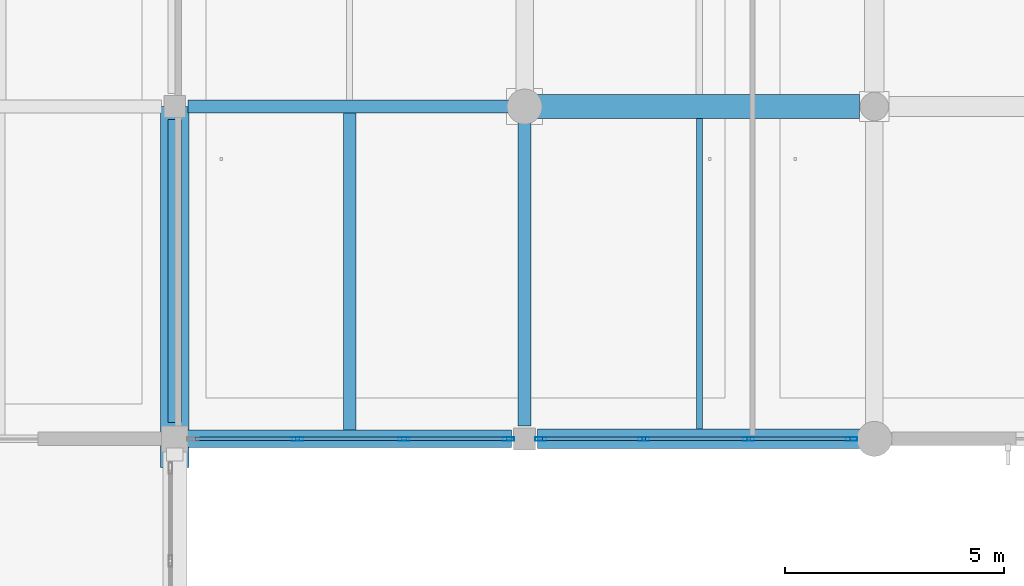
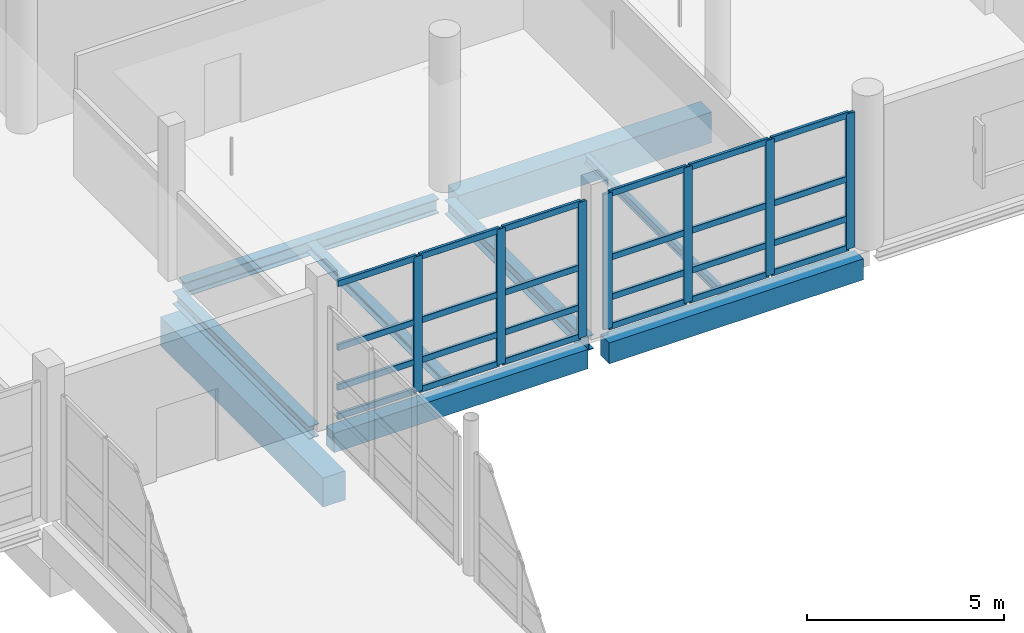
# One storey, part 34 of 147: 31 members, 9 beams, 2 elements without a shape of their own.
"""IFC4 building model written with IfcOpenShell, lengths in metres."""

from ifc_helpers import new_model, si_unit, direction, frame, origin, origin_2d, place, context, subcontext, project, spatial, rectangle, hollow_rectangle, i_section, extrude, material, material_profile, profile_set, type_object, element, aggregate, save


model = new_model("IFC4")

# Units and contexts
model_context = context("Model", 3, precision=1e-05, world=origin(), true_north=direction((0.0, 1.0)))
body_context = subcontext(model_context, "Body", "Model", "MODEL_VIEW")
ifc_project = project(units=[si_unit("LENGTHUNIT", "METRE"), si_unit("AREAUNIT", "SQUARE_METRE"), si_unit("VOLUMEUNIT", "CUBIC_METRE"), si_unit("PLANEANGLEUNIT", "RADIAN"), si_unit("MASSUNIT", "GRAM", prefix="KILO")], contexts=[model_context])

# Site, building, storey
site_placement = place(None, origin())
site = spatial("IfcSite", under=ifc_project, at=site_placement, CompositionType="ELEMENT")
building_placement = place(site_placement, origin())
building = spatial("IfcBuilding", under=site, at=building_placement, Name="Khelvaren Railside Concert Hall", CompositionType="ELEMENT")
storey_placement = place(building_placement, frame((0.0, 0.0, 5.39990234375)))
storey = spatial("IfcBuildingStorey", under=building, at=storey_placement, Name="L01", CompositionType="ELEMENT", Elevation=5.39990234375)

# Beams
ifc_material_1 = material(Name="Concrete C40/50", Category="concrete")
ifc_material_profile_1 = material_profile(ifc_material_1, rectangle(XDim=0.64990234375, YDim=0.89990234375, at=origin_2d()), Name="RCB 650x900")
ifc_profile_set_1 = profile_set([ifc_material_profile_1], Name="Concrete C40/50")
beam_type_1 = type_object("IfcBeamType", Name="BM18", PredefinedType="BEAM", material=ifc_profile_set_1)
beam_1_placement = place(storey_placement, frame((16.0, 67.75, -1.659912109375), z_axis=(0.0, 1.0, 0.0), x_axis=(-1.0, 0.0, 0.0)))
element("IfcBeam", 1, at=beam_1_placement, inside=storey, type_object=beam_type_1, Name="West Court Chamber Link Bridge L01 Seismic Corbel Seat 2", PredefinedType="BEAM", context=body_context, shape_type="SweptSolid", body=[
    extrude(rectangle(XDim=0.64990234375, YDim=0.89990234375, at=origin_2d()), origin(), (0.0, 0.0, 1.0), 8.25),
])
ifc_material_2 = material(Name="Steel S355", Category="steel")
ifc_material_profile_2 = material_profile(ifc_material_2, i_section(OverallWidth=0.300048828125, OverallDepth=0.389892578125, WebThickness=0.010986328125, FlangeThickness=0.01904296875, FilletRadius=0.027099609375, at=origin_2d()), Name="HEA 400")
ifc_profile_set_2 = profile_set([ifc_material_profile_2], Name="Steel S355")
beam_type_2 = type_object("IfcBeamType", Name="BM23", PredefinedType="BEAM", material=ifc_profile_set_2)
beam_2_placement = place(storey_placement, frame((16.0, 68.77490234375, -0.494873046875), z_axis=(0.0, 1.0, 0.0), x_axis=(-1.0, 0.0, 0.0)))
element("IfcBeam", 2, at=beam_2_placement, inside=storey, type_object=beam_type_2, Name="V4 L01 Beam Y3.1", PredefinedType="BEAM", context=body_context, shape_type="SweptSolid", body=[
    extrude(i_section(OverallWidth=0.300048828125, OverallDepth=0.389892578125, WebThickness=0.010986328125, FlangeThickness=0.01904296875, FilletRadius=0.027099609375, at=origin_2d()), origin(), (0.0, 0.0, 1.0), 6.925048828125),
])
ifc_material_profile_3 = material_profile(ifc_material_2, i_section(OverallWidth=0.300048828125, OverallDepth=0.43994140625, WebThickness=0.011474609375, FlangeThickness=0.02099609375, FilletRadius=0.027099609375, at=origin_2d()), Name="HEA 450")
ifc_profile_set_3 = profile_set([ifc_material_profile_3], Name="Steel S355")
beam_type_3 = type_object("IfcBeamType", Name="BM89", PredefinedType="BEAM", material=ifc_profile_set_3)
beam_3_placement = place(storey_placement, frame((16.300048828125, 76.0, -0.52001953125), z_axis=(1.0, 0.0, 0.0), x_axis=(0.0, 1.0, 0.0)))
element("IfcBeam", 3, at=beam_3_placement, inside=storey, type_object=beam_type_3, Name="V4 L01 Beam X2.3", PredefinedType="BEAM", context=body_context, shape_type="SweptSolid", body=[
    extrude(i_section(OverallWidth=0.300048828125, OverallDepth=0.43994140625, WebThickness=0.011474609375, FlangeThickness=0.02099609375, FilletRadius=0.027099609375, at=origin_2d()), origin(), (0.0, 0.0, 1.0), 7.449951171875),
])
beam_4_placement = place(storey_placement, frame((24.0, 68.699951171875, -0.52001953125), z_axis=(0.0, 1.0, 0.0), x_axis=(-1.0, 0.0, 0.0)))
element("IfcBeam", 4, at=beam_4_placement, inside=storey, type_object=beam_type_3, Name="V4 L01 Beam Y4.1", PredefinedType="BEAM", context=body_context, shape_type="SweptSolid", body=[
    extrude(i_section(OverallWidth=0.300048828125, OverallDepth=0.43994140625, WebThickness=0.011474609375, FlangeThickness=0.02099609375, FilletRadius=0.027099609375, at=origin_2d()), origin(), (0.0, 0.0, 1.0), 7.050048828125),
])

# Curtain wall, members
ifc_material_3 = material(Name="Acoustic laminated crystal facade glass", Category="glass")
curtain_wall_type_1 = type_object("IfcCurtainWallType", Name="CW54", PredefinedType="USERDEFINED", material=ifc_material_3)
curtain_wall_1_placement = place(storey_placement, origin())
curtain_wall_1 = element("IfcCurtainWall", 5, at=curtain_wall_1_placement, inside=storey, type_object=curtain_wall_type_1, Name="Unitised Curtain Wall CW-V4-L01-S-16", ObjectType="UNITISED CURTAIN WALL", PredefinedType="USERDEFINED")
ifc_material_4 = material(Name="Anodised architectural aluminium 6063-T6", Category="aluminium")
ifc_material_profile_4 = material_profile(ifc_material_4, hollow_rectangle(XDim=0.0849609375, YDim=0.260009765625, WallThickness=0.0048828125, InnerFilletRadius=0.0029296875, OuterFilletRadius=0.0048828125, at=origin_2d()), Name="CWM 85x260x5")
ifc_profile_set_4 = profile_set([ifc_material_profile_4], Name="Anodised architectural aluminium 6063-T6")
member_type_1 = type_object("IfcMemberType", Name="CWM40", PredefinedType="MULLION", material=ifc_profile_set_4)
member_1_placement = place(storey_placement, frame((23.6298828125, 68.39990234375, 0.0), z_axis=(0.0, 0.0, 1.0), x_axis=(0.0, -1.0, 0.0)))
member_1 = element("IfcMember", 6, at=member_1_placement, type_object=member_type_1, Name="CW54 mullion 1", PredefinedType="MULLION", context=body_context, shape_type="SweptSolid", body=[
    extrude(hollow_rectangle(XDim=0.0849609375, YDim=0.260009765625, WallThickness=0.0048828125, InnerFilletRadius=0.0029296875, OuterFilletRadius=0.0048828125, at=origin_2d()), origin(), (0.0, 0.0, 1.0), 4.2001953125),
])
member_2_placement = place(storey_placement, frame((21.24072265625, 68.39990234375, 0.0), z_axis=(0.0, 0.0, 1.0), x_axis=(0.0, -1.0, 0.0)))
member_2 = element("IfcMember", 7, at=member_2_placement, type_object=member_type_1, Name="CW54 mullion 2", PredefinedType="MULLION", context=body_context, shape_type="SweptSolid", body=[
    extrude(hollow_rectangle(XDim=0.0849609375, YDim=0.260009765625, WallThickness=0.0048828125, InnerFilletRadius=0.0029296875, OuterFilletRadius=0.0048828125, at=origin_2d()), origin(), (0.0, 0.0, 1.0), 4.2001953125),
])
member_3_placement = place(storey_placement, frame((18.80908203125, 68.39990234375, 0.0), z_axis=(0.0, 0.0, 1.0), x_axis=(0.0, -1.0, 0.0)))
member_3 = element("IfcMember", 8, at=member_3_placement, type_object=member_type_1, Name="CW54 mullion 3", PredefinedType="MULLION", context=body_context, shape_type="SweptSolid", body=[
    extrude(hollow_rectangle(XDim=0.0849609375, YDim=0.260009765625, WallThickness=0.0048828125, InnerFilletRadius=0.0029296875, OuterFilletRadius=0.0048828125, at=origin_2d()), origin(), (0.0, 0.0, 1.0), 4.2001953125),
])

curtain_wall_type_2 = type_object("IfcCurtainWallType", Name="CW66", PredefinedType="USERDEFINED", material=ifc_material_3)
curtain_wall_2_placement = place(storey_placement, origin())
curtain_wall_2 = element("IfcCurtainWall", 9, at=curtain_wall_2_placement, inside=storey, type_object=curtain_wall_type_2, Name="Unitised Curtain Wall CW-V4-L01-S-24", ObjectType="UNITISED CURTAIN WALL", PredefinedType="USERDEFINED")
member_4_placement = place(storey_placement, frame((31.47998046875, 68.39990234375, 0.0), z_axis=(0.0, 0.0, 1.0), x_axis=(0.0, -1.0, 0.0)))
member_4 = element("IfcMember", 10, at=member_4_placement, type_object=member_type_1, Name="CW66 mullion 1", PredefinedType="MULLION", context=body_context, shape_type="SweptSolid", body=[
    extrude(hollow_rectangle(XDim=0.0849609375, YDim=0.260009765625, WallThickness=0.0048828125, InnerFilletRadius=0.0029296875, OuterFilletRadius=0.0048828125, at=origin_2d()), origin(), (0.0, 0.0, 1.0), 4.2001953125),
])
member_5_placement = place(storey_placement, frame((29.124267578125, 68.39990234375, 0.0), z_axis=(0.0, 0.0, 1.0), x_axis=(0.0, -1.0, 0.0)))
member_5 = element("IfcMember", 11, at=member_5_placement, type_object=member_type_1, Name="CW66 mullion 2", PredefinedType="MULLION", context=body_context, shape_type="SweptSolid", body=[
    extrude(hollow_rectangle(XDim=0.0849609375, YDim=0.260009765625, WallThickness=0.0048828125, InnerFilletRadius=0.0029296875, OuterFilletRadius=0.0048828125, at=origin_2d()), origin(), (0.0, 0.0, 1.0), 4.2001953125),
])
member_6_placement = place(storey_placement, frame((26.725830078125, 68.39990234375, 0.0), z_axis=(0.0, 0.0, 1.0), x_axis=(0.0, -1.0, 0.0)))
member_6 = element("IfcMember", 12, at=member_6_placement, type_object=member_type_1, Name="CW66 mullion 3", PredefinedType="MULLION", context=body_context, shape_type="SweptSolid", body=[
    extrude(hollow_rectangle(XDim=0.0849609375, YDim=0.260009765625, WallThickness=0.0048828125, InnerFilletRadius=0.0029296875, OuterFilletRadius=0.0048828125, at=origin_2d()), origin(), (0.0, 0.0, 1.0), 4.2001953125),
])
member_7_placement = place(storey_placement, frame((24.3701171875, 68.39990234375, 0.0), z_axis=(0.0, 0.0, 1.0), x_axis=(0.0, -1.0, 0.0)))
member_7 = element("IfcMember", 13, at=member_7_placement, type_object=member_type_1, Name="CW66 mullion 4", PredefinedType="MULLION", context=body_context, shape_type="SweptSolid", body=[
    extrude(hollow_rectangle(XDim=0.0849609375, YDim=0.260009765625, WallThickness=0.0048828125, InnerFilletRadius=0.0029296875, OuterFilletRadius=0.0048828125, at=origin_2d()), origin(), (0.0, 0.0, 1.0), 4.2001953125),
])

# Member
ifc_material_profile_5 = material_profile(ifc_material_4, hollow_rectangle(XDim=0.0849609375, YDim=0.18994140625, WallThickness=0.0048828125, InnerFilletRadius=0.0029296875, OuterFilletRadius=0.0048828125, at=origin_2d()), Name="CWT 85x190x5")
ifc_profile_set_5 = profile_set([ifc_material_profile_5], Name="Anodised architectural aluminium 6063-T6")
member_type_2 = type_object("IfcMemberType", Name="CWT31", PredefinedType="USERDEFINED", material=ifc_profile_set_5)
member_8_placement = place(storey_placement, frame((23.58740234375, 68.39990234375, 0.04248046875), z_axis=(-1.0, 0.0, 0.0), x_axis=(0.0, -1.0, 0.0)))
member_8 = element("IfcMember", 14, at=member_8_placement, type_object=member_type_2, Name="CW54 transom 1.1", ObjectType="TRANSOM", PredefinedType="USERDEFINED", context=body_context, shape_type="SweptSolid", body=[
    extrude(hollow_rectangle(XDim=0.0849609375, YDim=0.18994140625, WallThickness=0.0048828125, InnerFilletRadius=0.0029296875, OuterFilletRadius=0.0048828125, at=origin_2d()), origin(), (0.0, 0.0, 1.0), 2.303955078125),
])

member_9_placement = place(storey_placement, frame((23.58740234375, 68.39990234375, 0.9501953125), z_axis=(-1.0, 0.0, 0.0), x_axis=(0.0, -1.0, 0.0)))
member_9 = element("IfcMember", 15, at=member_9_placement, type_object=member_type_2, Name="CW54 transom 1.2", ObjectType="TRANSOM", PredefinedType="USERDEFINED", context=body_context, shape_type="SweptSolid", body=[
    extrude(hollow_rectangle(XDim=0.0849609375, YDim=0.18994140625, WallThickness=0.0048828125, InnerFilletRadius=0.0029296875, OuterFilletRadius=0.0048828125, at=origin_2d()), origin(), (0.0, 0.0, 1.0), 2.303955078125),
])

member_10_placement = place(storey_placement, frame((23.58740234375, 68.39990234375, 2.18408203125), z_axis=(-1.0, 0.0, 0.0), x_axis=(0.0, -1.0, 0.0)))
member_10 = element("IfcMember", 16, at=member_10_placement, type_object=member_type_2, Name="CW54 transom 1.3", ObjectType="TRANSOM", PredefinedType="USERDEFINED", context=body_context, shape_type="SweptSolid", body=[
    extrude(hollow_rectangle(XDim=0.0849609375, YDim=0.18994140625, WallThickness=0.0048828125, InnerFilletRadius=0.0029296875, OuterFilletRadius=0.0048828125, at=origin_2d()), origin(), (0.0, 0.0, 1.0), 2.303955078125),
])

member_11_placement = place(storey_placement, frame((23.58740234375, 68.39990234375, 4.15771484375), z_axis=(-1.0, 0.0, 0.0), x_axis=(0.0, -1.0, 0.0)))
member_11 = element("IfcMember", 17, at=member_11_placement, type_object=member_type_2, Name="CW54 transom 1.4", ObjectType="TRANSOM", PredefinedType="USERDEFINED", context=body_context, shape_type="SweptSolid", body=[
    extrude(hollow_rectangle(XDim=0.0849609375, YDim=0.18994140625, WallThickness=0.0048828125, InnerFilletRadius=0.0029296875, OuterFilletRadius=0.0048828125, at=origin_2d()), origin(), (0.0, 0.0, 1.0), 2.303955078125),
])

member_12_placement = place(storey_placement, frame((21.1982421875, 68.39990234375, 0.04248046875), z_axis=(-1.0, 0.0, 0.0), x_axis=(0.0, -1.0, 0.0)))
member_12 = element("IfcMember", 18, at=member_12_placement, type_object=member_type_2, Name="CW54 transom 2.1", ObjectType="TRANSOM", PredefinedType="USERDEFINED", context=body_context, shape_type="SweptSolid", body=[
    extrude(hollow_rectangle(XDim=0.0849609375, YDim=0.18994140625, WallThickness=0.0048828125, InnerFilletRadius=0.0029296875, OuterFilletRadius=0.0048828125, at=origin_2d()), origin(), (0.0, 0.0, 1.0), 2.3466796875),
])

member_13_placement = place(storey_placement, frame((21.1982421875, 68.39990234375, 0.9501953125), z_axis=(-1.0, 0.0, 0.0), x_axis=(0.0, -1.0, 0.0)))
member_13 = element("IfcMember", 19, at=member_13_placement, type_object=member_type_2, Name="CW54 transom 2.2", ObjectType="TRANSOM", PredefinedType="USERDEFINED", context=body_context, shape_type="SweptSolid", body=[
    extrude(hollow_rectangle(XDim=0.0849609375, YDim=0.18994140625, WallThickness=0.0048828125, InnerFilletRadius=0.0029296875, OuterFilletRadius=0.0048828125, at=origin_2d()), origin(), (0.0, 0.0, 1.0), 2.3466796875),
])

member_14_placement = place(storey_placement, frame((21.1982421875, 68.39990234375, 2.18408203125), z_axis=(-1.0, 0.0, 0.0), x_axis=(0.0, -1.0, 0.0)))
member_14 = element("IfcMember", 20, at=member_14_placement, type_object=member_type_2, Name="CW54 transom 2.3", ObjectType="TRANSOM", PredefinedType="USERDEFINED", context=body_context, shape_type="SweptSolid", body=[
    extrude(hollow_rectangle(XDim=0.0849609375, YDim=0.18994140625, WallThickness=0.0048828125, InnerFilletRadius=0.0029296875, OuterFilletRadius=0.0048828125, at=origin_2d()), origin(), (0.0, 0.0, 1.0), 2.3466796875),
])

member_15_placement = place(storey_placement, frame((21.1982421875, 68.39990234375, 4.15771484375), z_axis=(-1.0, 0.0, 0.0), x_axis=(0.0, -1.0, 0.0)))
member_15 = element("IfcMember", 21, at=member_15_placement, type_object=member_type_2, Name="CW54 transom 2.4", ObjectType="TRANSOM", PredefinedType="USERDEFINED", context=body_context, shape_type="SweptSolid", body=[
    extrude(hollow_rectangle(XDim=0.0849609375, YDim=0.18994140625, WallThickness=0.0048828125, InnerFilletRadius=0.0029296875, OuterFilletRadius=0.0048828125, at=origin_2d()), origin(), (0.0, 0.0, 1.0), 2.3466796875),
])

member_16_placement = place(storey_placement, frame((18.7666015625, 68.39990234375, 0.04248046875), z_axis=(-1.0, 0.0, 0.0), x_axis=(0.0, -1.0, 0.0)))
member_16 = element("IfcMember", 22, at=member_16_placement, type_object=member_type_2, Name="CW54 transom 3.1", ObjectType="TRANSOM", PredefinedType="USERDEFINED", context=body_context, shape_type="SweptSolid", body=[
    extrude(hollow_rectangle(XDim=0.0849609375, YDim=0.18994140625, WallThickness=0.0048828125, InnerFilletRadius=0.0029296875, OuterFilletRadius=0.0048828125, at=origin_2d()), origin(), (0.0, 0.0, 1.0), 2.30419921875),
])

member_17_placement = place(storey_placement, frame((18.7666015625, 68.39990234375, 0.9501953125), z_axis=(-1.0, 0.0, 0.0), x_axis=(0.0, -1.0, 0.0)))
member_17 = element("IfcMember", 23, at=member_17_placement, type_object=member_type_2, Name="CW54 transom 3.2", ObjectType="TRANSOM", PredefinedType="USERDEFINED", context=body_context, shape_type="SweptSolid", body=[
    extrude(hollow_rectangle(XDim=0.0849609375, YDim=0.18994140625, WallThickness=0.0048828125, InnerFilletRadius=0.0029296875, OuterFilletRadius=0.0048828125, at=origin_2d()), origin(), (0.0, 0.0, 1.0), 2.30419921875),
])

member_18_placement = place(storey_placement, frame((18.7666015625, 68.39990234375, 2.18408203125), z_axis=(-1.0, 0.0, 0.0), x_axis=(0.0, -1.0, 0.0)))
member_18 = element("IfcMember", 24, at=member_18_placement, type_object=member_type_2, Name="CW54 transom 3.3", ObjectType="TRANSOM", PredefinedType="USERDEFINED", context=body_context, shape_type="SweptSolid", body=[
    extrude(hollow_rectangle(XDim=0.0849609375, YDim=0.18994140625, WallThickness=0.0048828125, InnerFilletRadius=0.0029296875, OuterFilletRadius=0.0048828125, at=origin_2d()), origin(), (0.0, 0.0, 1.0), 2.30419921875),
])

member_19_placement = place(storey_placement, frame((18.7666015625, 68.39990234375, 4.15771484375), z_axis=(-1.0, 0.0, 0.0), x_axis=(0.0, -1.0, 0.0)))
member_19 = element("IfcMember", 25, at=member_19_placement, type_object=member_type_2, Name="CW54 transom 3.4", ObjectType="TRANSOM", PredefinedType="USERDEFINED", context=body_context, shape_type="SweptSolid", body=[
    extrude(hollow_rectangle(XDim=0.0849609375, YDim=0.18994140625, WallThickness=0.0048828125, InnerFilletRadius=0.0029296875, OuterFilletRadius=0.0048828125, at=origin_2d()), origin(), (0.0, 0.0, 1.0), 2.30419921875),
])

aggregate(curtain_wall_1, [member_1, member_2, member_3, member_8, member_9, member_10, member_11, member_12, member_13, member_14, member_15, member_16, member_17, member_18, member_19])

member_20_placement = place(storey_placement, frame((31.4375, 68.39990234375, 0.04248046875), z_axis=(-1.0, 0.0, 0.0), x_axis=(0.0, -1.0, 0.0)))
member_20 = element("IfcMember", 26, at=member_20_placement, type_object=member_type_2, Name="CW66 transom 1.1", ObjectType="TRANSOM", PredefinedType="USERDEFINED", context=body_context, shape_type="SweptSolid", body=[
    extrude(hollow_rectangle(XDim=0.0849609375, YDim=0.18994140625, WallThickness=0.0048828125, InnerFilletRadius=0.0029296875, OuterFilletRadius=0.0048828125, at=origin_2d()), origin(), (0.0, 0.0, 1.0), 2.270751953125),
])

member_21_placement = place(storey_placement, frame((31.4375, 68.39990234375, 0.9501953125), z_axis=(-1.0, 0.0, 0.0), x_axis=(0.0, -1.0, 0.0)))
member_21 = element("IfcMember", 27, at=member_21_placement, type_object=member_type_2, Name="CW66 transom 1.2", ObjectType="TRANSOM", PredefinedType="USERDEFINED", context=body_context, shape_type="SweptSolid", body=[
    extrude(hollow_rectangle(XDim=0.0849609375, YDim=0.18994140625, WallThickness=0.0048828125, InnerFilletRadius=0.0029296875, OuterFilletRadius=0.0048828125, at=origin_2d()), origin(), (0.0, 0.0, 1.0), 2.270751953125),
])

member_22_placement = place(storey_placement, frame((31.4375, 68.39990234375, 2.18408203125), z_axis=(-1.0, 0.0, 0.0), x_axis=(0.0, -1.0, 0.0)))
member_22 = element("IfcMember", 28, at=member_22_placement, type_object=member_type_2, Name="CW66 transom 1.3", ObjectType="TRANSOM", PredefinedType="USERDEFINED", context=body_context, shape_type="SweptSolid", body=[
    extrude(hollow_rectangle(XDim=0.0849609375, YDim=0.18994140625, WallThickness=0.0048828125, InnerFilletRadius=0.0029296875, OuterFilletRadius=0.0048828125, at=origin_2d()), origin(), (0.0, 0.0, 1.0), 2.270751953125),
])

member_23_placement = place(storey_placement, frame((31.4375, 68.39990234375, 4.15771484375), z_axis=(-1.0, 0.0, 0.0), x_axis=(0.0, -1.0, 0.0)))
member_23 = element("IfcMember", 29, at=member_23_placement, type_object=member_type_2, Name="CW66 transom 1.4", ObjectType="TRANSOM", PredefinedType="USERDEFINED", context=body_context, shape_type="SweptSolid", body=[
    extrude(hollow_rectangle(XDim=0.0849609375, YDim=0.18994140625, WallThickness=0.0048828125, InnerFilletRadius=0.0029296875, OuterFilletRadius=0.0048828125, at=origin_2d()), origin(), (0.0, 0.0, 1.0), 2.270751953125),
])

member_24_placement = place(storey_placement, frame((29.081787109375, 68.39990234375, 0.04248046875), z_axis=(-1.0, 0.0, 0.0), x_axis=(0.0, -1.0, 0.0)))
member_24 = element("IfcMember", 30, at=member_24_placement, type_object=member_type_2, Name="CW66 transom 2.1", ObjectType="TRANSOM", PredefinedType="USERDEFINED", context=body_context, shape_type="SweptSolid", body=[
    extrude(hollow_rectangle(XDim=0.0849609375, YDim=0.18994140625, WallThickness=0.0048828125, InnerFilletRadius=0.0029296875, OuterFilletRadius=0.0048828125, at=origin_2d()), origin(), (0.0, 0.0, 1.0), 2.3134765625),
])

member_25_placement = place(storey_placement, frame((29.081787109375, 68.39990234375, 0.9501953125), z_axis=(-1.0, 0.0, 0.0), x_axis=(0.0, -1.0, 0.0)))
member_25 = element("IfcMember", 31, at=member_25_placement, type_object=member_type_2, Name="CW66 transom 2.2", ObjectType="TRANSOM", PredefinedType="USERDEFINED", context=body_context, shape_type="SweptSolid", body=[
    extrude(hollow_rectangle(XDim=0.0849609375, YDim=0.18994140625, WallThickness=0.0048828125, InnerFilletRadius=0.0029296875, OuterFilletRadius=0.0048828125, at=origin_2d()), origin(), (0.0, 0.0, 1.0), 2.3134765625),
])

member_26_placement = place(storey_placement, frame((29.081787109375, 68.39990234375, 2.18408203125), z_axis=(-1.0, 0.0, 0.0), x_axis=(0.0, -1.0, 0.0)))
member_26 = element("IfcMember", 32, at=member_26_placement, type_object=member_type_2, Name="CW66 transom 2.3", ObjectType="TRANSOM", PredefinedType="USERDEFINED", context=body_context, shape_type="SweptSolid", body=[
    extrude(hollow_rectangle(XDim=0.0849609375, YDim=0.18994140625, WallThickness=0.0048828125, InnerFilletRadius=0.0029296875, OuterFilletRadius=0.0048828125, at=origin_2d()), origin(), (0.0, 0.0, 1.0), 2.3134765625),
])

member_27_placement = place(storey_placement, frame((29.081787109375, 68.39990234375, 4.15771484375), z_axis=(-1.0, 0.0, 0.0), x_axis=(0.0, -1.0, 0.0)))
member_27 = element("IfcMember", 33, at=member_27_placement, type_object=member_type_2, Name="CW66 transom 2.4", ObjectType="TRANSOM", PredefinedType="USERDEFINED", context=body_context, shape_type="SweptSolid", body=[
    extrude(hollow_rectangle(XDim=0.0849609375, YDim=0.18994140625, WallThickness=0.0048828125, InnerFilletRadius=0.0029296875, OuterFilletRadius=0.0048828125, at=origin_2d()), origin(), (0.0, 0.0, 1.0), 2.3134765625),
])

member_28_placement = place(storey_placement, frame((26.683349609375, 68.39990234375, 0.04248046875), z_axis=(-1.0, 0.0, 0.0), x_axis=(0.0, -1.0, 0.0)))
member_28 = element("IfcMember", 34, at=member_28_placement, type_object=member_type_2, Name="CW66 transom 3.1", ObjectType="TRANSOM", PredefinedType="USERDEFINED", context=body_context, shape_type="SweptSolid", body=[
    extrude(hollow_rectangle(XDim=0.0849609375, YDim=0.18994140625, WallThickness=0.0048828125, InnerFilletRadius=0.0029296875, OuterFilletRadius=0.0048828125, at=origin_2d()), origin(), (0.0, 0.0, 1.0), 2.270751953125),
])

member_29_placement = place(storey_placement, frame((26.683349609375, 68.39990234375, 0.9501953125), z_axis=(-1.0, 0.0, 0.0), x_axis=(0.0, -1.0, 0.0)))
member_29 = element("IfcMember", 35, at=member_29_placement, type_object=member_type_2, Name="CW66 transom 3.2", ObjectType="TRANSOM", PredefinedType="USERDEFINED", context=body_context, shape_type="SweptSolid", body=[
    extrude(hollow_rectangle(XDim=0.0849609375, YDim=0.18994140625, WallThickness=0.0048828125, InnerFilletRadius=0.0029296875, OuterFilletRadius=0.0048828125, at=origin_2d()), origin(), (0.0, 0.0, 1.0), 2.270751953125),
])

member_30_placement = place(storey_placement, frame((26.683349609375, 68.39990234375, 2.18408203125), z_axis=(-1.0, 0.0, 0.0), x_axis=(0.0, -1.0, 0.0)))
member_30 = element("IfcMember", 36, at=member_30_placement, type_object=member_type_2, Name="CW66 transom 3.3", ObjectType="TRANSOM", PredefinedType="USERDEFINED", context=body_context, shape_type="SweptSolid", body=[
    extrude(hollow_rectangle(XDim=0.0849609375, YDim=0.18994140625, WallThickness=0.0048828125, InnerFilletRadius=0.0029296875, OuterFilletRadius=0.0048828125, at=origin_2d()), origin(), (0.0, 0.0, 1.0), 2.270751953125),
])

member_31_placement = place(storey_placement, frame((26.683349609375, 68.39990234375, 4.15771484375), z_axis=(-1.0, 0.0, 0.0), x_axis=(0.0, -1.0, 0.0)))
member_31 = element("IfcMember", 37, at=member_31_placement, type_object=member_type_2, Name="CW66 transom 3.4", ObjectType="TRANSOM", PredefinedType="USERDEFINED", context=body_context, shape_type="SweptSolid", body=[
    extrude(hollow_rectangle(XDim=0.0849609375, YDim=0.18994140625, WallThickness=0.0048828125, InnerFilletRadius=0.0029296875, OuterFilletRadius=0.0048828125, at=origin_2d()), origin(), (0.0, 0.0, 1.0), 2.270751953125),
])

aggregate(curtain_wall_2, [member_4, member_5, member_6, member_7, member_20, member_21, member_22, member_23, member_24, member_25, member_26, member_27, member_28, member_29, member_30, member_31])

# Beams
ifc_material_profile_6 = material_profile(ifc_material_1, rectangle(XDim=0.550048828125, YDim=0.949951171875, at=origin_2d()), Name="RCB 550x950")
ifc_profile_set_6 = profile_set([ifc_material_profile_6], Name="Concrete C40/50")
beam_type_4 = type_object("IfcBeamType", Name="GR57", PredefinedType="T_BEAM", material=ifc_profile_set_6)
beam_5_placement = place(storey_placement, frame((24.25, 76.0, -0.77490234375), z_axis=(1.0, 0.0, 0.0), x_axis=(0.0, 1.0, 0.0)))
element("IfcBeam", 38, at=beam_5_placement, inside=storey, type_object=beam_type_4, Name="V4 L01 T_Beam X2.4", PredefinedType="T_BEAM", context=body_context, shape_type="SweptSolid", body=[
    extrude(rectangle(XDim=0.550048828125, YDim=0.949951171875, at=origin_2d()), origin(), (0.0, 0.0, 1.0), 7.4140625),
])
ifc_material_profile_7 = material_profile(ifc_material_2, i_section(OverallWidth=0.280029296875, OverallDepth=0.27001953125, WebThickness=0.008056640625, FlangeThickness=0.012939453125, FilletRadius=0.02392578125, at=origin_2d()), Name="HEA 280")
ifc_profile_set_7 = profile_set([ifc_material_profile_7], Name="Steel S355")
beam_type_5 = type_object("IfcBeamType", Name="JS46", PredefinedType="JOIST", material=ifc_profile_set_7)
beam_6_placement = place(storey_placement, frame((20.0, 68.60009765625, -0.434814453125), z_axis=(0.0, 1.0, 0.0), x_axis=(-1.0, 0.0, 0.0)))
element("IfcBeam", 39, at=beam_6_placement, inside=storey, type_object=beam_type_5, Name="V4 L01 Secondary Joist 3.1", PredefinedType="JOIST", context=body_context, shape_type="SweptSolid", body=[
    extrude(i_section(OverallWidth=0.280029296875, OverallDepth=0.27001953125, WebThickness=0.008056640625, FlangeThickness=0.012939453125, FilletRadius=0.02392578125, at=origin_2d()), origin(), (0.0, 0.0, 1.0), 7.25),
])
ifc_material_profile_8 = material_profile(ifc_material_2, i_section(OverallWidth=0.135009765625, OverallDepth=0.27001953125, WebThickness=0.006591796875, FlangeThickness=0.01025390625, FilletRadius=0.014892578125, at=origin_2d()), Name="IPE 270")
ifc_profile_set_8 = profile_set([ifc_material_profile_8], Name="Steel S355")
beam_type_6 = type_object("IfcBeamType", Name="JS78", PredefinedType="JOIST", material=ifc_profile_set_8)
beam_7_placement = place(storey_placement, frame((28.0, 68.625, -0.434814453125), z_axis=(0.0, 1.0, 0.0), x_axis=(-1.0, 0.0, 0.0)))
element("IfcBeam", 40, at=beam_7_placement, inside=storey, type_object=beam_type_6, Name="V4 L01 Secondary Joist 4.1", PredefinedType="JOIST", context=body_context, shape_type="SweptSolid", body=[
    extrude(i_section(OverallWidth=0.135009765625, OverallDepth=0.27001953125, WebThickness=0.006591796875, FlangeThickness=0.01025390625, FilletRadius=0.014892578125, at=origin_2d()), origin(), (0.0, 0.0, 1.0), 7.10009765625),
])
ifc_material_profile_9 = material_profile(ifc_material_1, rectangle(XDim=0.449951171875, YDim=0.64990234375, at=origin_2d()), Name="RCB 450x650")
ifc_profile_set_9 = profile_set([ifc_material_profile_9], Name="Concrete C40/50")
beam_type_7 = type_object("IfcBeamType", Name="SP34", PredefinedType="SPANDREL", material=ifc_profile_set_9)
beam_8_placement = place(storey_placement, frame((24.300048828125, 68.39990234375, -0.625), z_axis=(1.0, 0.0, 0.0), x_axis=(0.0, 1.0, 0.0)))
element("IfcBeam", 41, at=beam_8_placement, inside=storey, type_object=beam_type_7, Name="V4 L01 Spandrel X1.4", PredefinedType="SPANDREL", context=body_context, shape_type="SweptSolid", body=[
    extrude(rectangle(XDim=0.449951171875, YDim=0.64990234375, at=origin_2d()), origin(), (0.0, 0.0, 1.0), 7.449951171875),
])
ifc_material_profile_10 = material_profile(ifc_material_1, rectangle(XDim=0.39990234375, YDim=0.60009765625, at=origin_2d()), Name="RCB 400x600")
ifc_profile_set_10 = profile_set([ifc_material_profile_10], Name="Concrete C40/50")
beam_type_8 = type_object("IfcBeamType", Name="SP75", PredefinedType="SPANDREL", material=ifc_profile_set_10)
beam_9_placement = place(storey_placement, frame((16.25, 68.39990234375, -0.599853515625), z_axis=(1.0, 0.0, 0.0), x_axis=(0.0, 1.0, 0.0)))
element("IfcBeam", 42, at=beam_9_placement, inside=storey, type_object=beam_type_8, Name="V4 L01 Spandrel X1.3", PredefinedType="SPANDREL", context=body_context, shape_type="SweptSolid", body=[
    extrude(rectangle(XDim=0.39990234375, YDim=0.60009765625, at=origin_2d()), origin(), (0.0, 0.0, 1.0), 7.449951171875),
])

save(model, "model.ifc")
